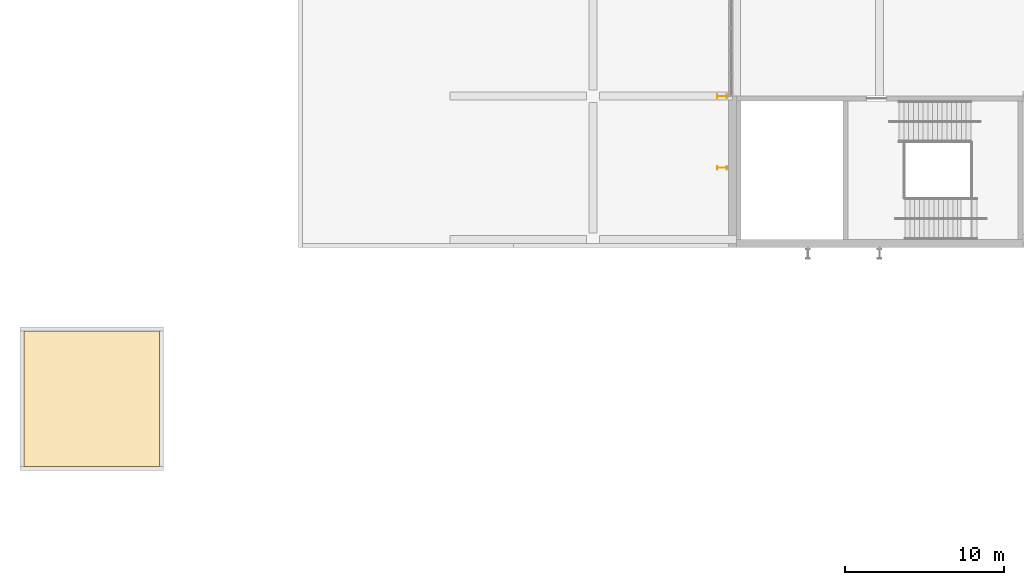
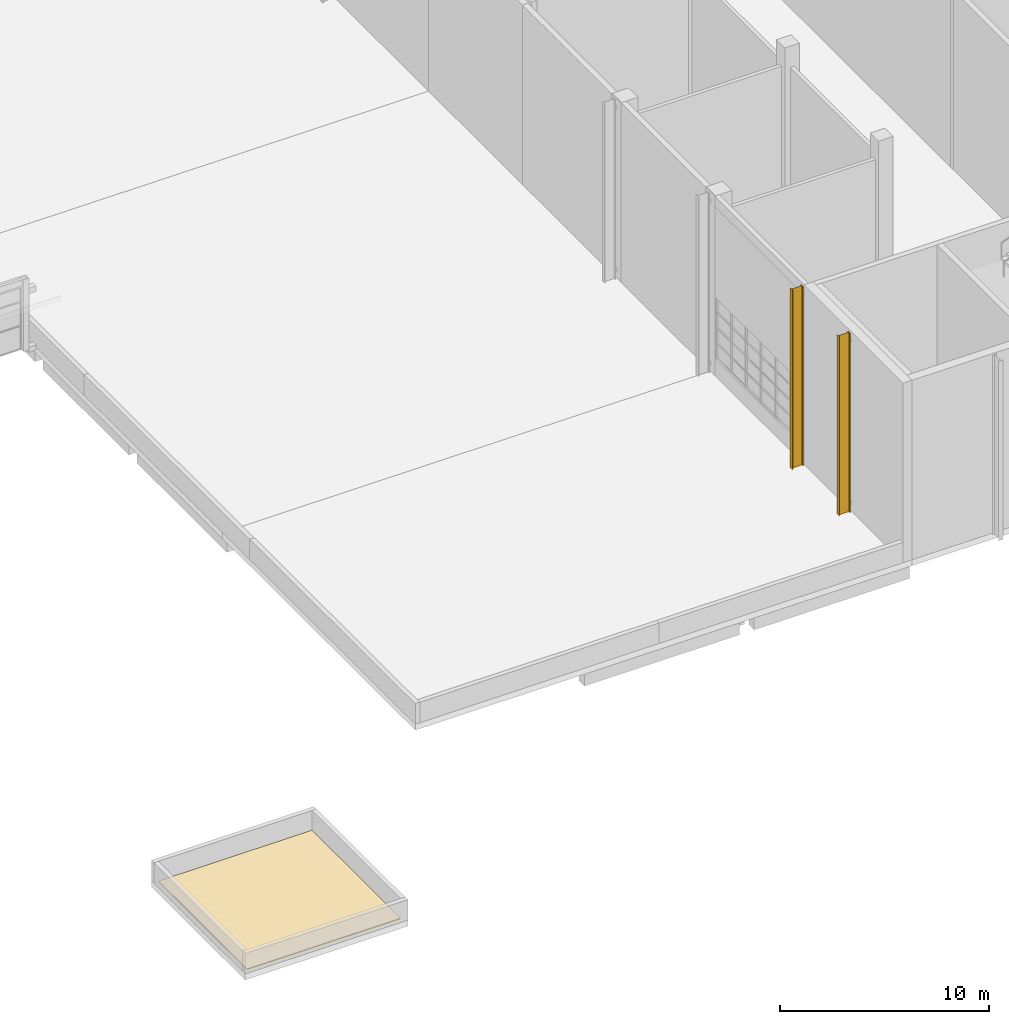
# One storey, part 136 of 182: 2 shading devices, 1 covering.
"""IFC4 building model written with IfcOpenShell, lengths in metres."""

from ifc_helpers import new_model, si_unit, direction, frame, origin, origin_2d, place, context, subcontext, project, spatial, polyline, i_section, outline, extrude, material, layer, layer_set, material_profile, profile_set, type_object, element, save


model = new_model("IFC4")

# Units and contexts
model_context = context("Model", 3, precision=1e-05, world=origin(), true_north=direction((0.0, 1.0)))
body_context = subcontext(model_context, "Body", "Model", "MODEL_VIEW")
ifc_project = project(units=[si_unit("LENGTHUNIT", "METRE"), si_unit("AREAUNIT", "SQUARE_METRE"), si_unit("VOLUMEUNIT", "CUBIC_METRE"), si_unit("PLANEANGLEUNIT", "RADIAN"), si_unit("MASSUNIT", "GRAM", prefix="KILO")], contexts=[model_context])

# Site, building, storey
site_placement = place(None, origin())
site = spatial("IfcSite", under=ifc_project, at=site_placement, CompositionType="ELEMENT")
building_placement = place(site_placement, origin())
building = spatial("IfcBuilding", under=site, at=building_placement, Name="Silverbay Arena", CompositionType="ELEMENT")
storey_placement = place(building_placement, frame((0.0, 0.0, 11.5)))
storey = spatial("IfcBuildingStorey", under=building, at=storey_placement, Name="L02", CompositionType="ELEMENT", Elevation=11.5)

# Covering
ifc_material_1 = material(Name="Bituminous roofing membrane")
ifc_layer = layer(ifc_material_1, 0.050048828125)
ifc_layer_set = layer_set([ifc_layer], Name="Bituminous roofing membrane")
covering_type = type_object("IfcCoveringType", Name="Roof membrane 50", PredefinedType="ROOFING", material=ifc_layer_set)
covering_placement = place(storey_placement, origin())
element("IfcCovering", 1, at=covering_placement, inside=storey, type_object=covering_type, Name="Pavilion roof membrane", PredefinedType="ROOFING", context=body_context, shape_type="SweptSolid", body=[
    extrude(outline(polyline([(9.25, 3.75), (17.75, 3.75), (17.75, 12.25), (9.25, 12.25), (9.25, 3.75)])), origin(), (0.0, 0.0, 1.0), 0.050048828125),
])

# Shading devices
ifc_material_2 = material(Name="Steel S355", Category="steel")
ifc_material_profile = material_profile(ifc_material_2, i_section(OverallWidth=0.2275390625, OverallDepth=0.6025390625, WebThickness=0.010498046875, FlangeThickness=0.014892578125, at=origin_2d()), Name="UB 610x229x101")
ifc_profile_set = profile_set([ifc_material_profile], Name="Steel S355")
shading_device_type = type_object("IfcShadingDeviceType", Name="Steel fin UB 610x229x101", PredefinedType="USERDEFINED", material=ifc_profile_set)
for number, where, z_axis, x_axis, name in (
    (2, (53.0986328125, 22.5, 0.0), (0.0, 0.0, 1.0), (0.0, 1.0, 0.0), "Steel fin W L02 1"),
    (3, (53.0986328125, 27.0, 0.0), (0.0, 0.0, 1.0), (0.0, 1.0, 0.0), "Steel fin W L02 2"),
):
    element("IfcShadingDevice", number, at=place(storey_placement, frame(where, z_axis=z_axis, x_axis=x_axis)), inside=storey, type_object=shading_device_type, Name=name, ObjectType="FIN", PredefinedType="USERDEFINED", context=body_context, shape_type="SweptSolid", body=[
        extrude(i_section(OverallWidth=0.2275390625, OverallDepth=0.6025390625, WebThickness=0.010498046875, FlangeThickness=0.014892578125, at=origin_2d()), origin(), (0.0, 0.0, 1.0), 10.5),
    ])

save(model, "model.ifc")
